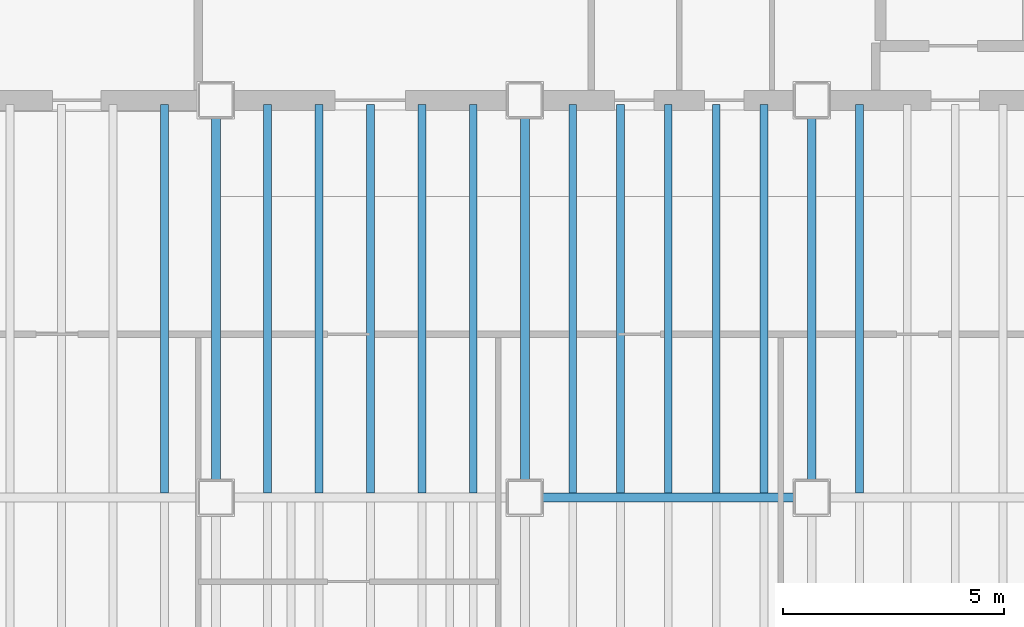
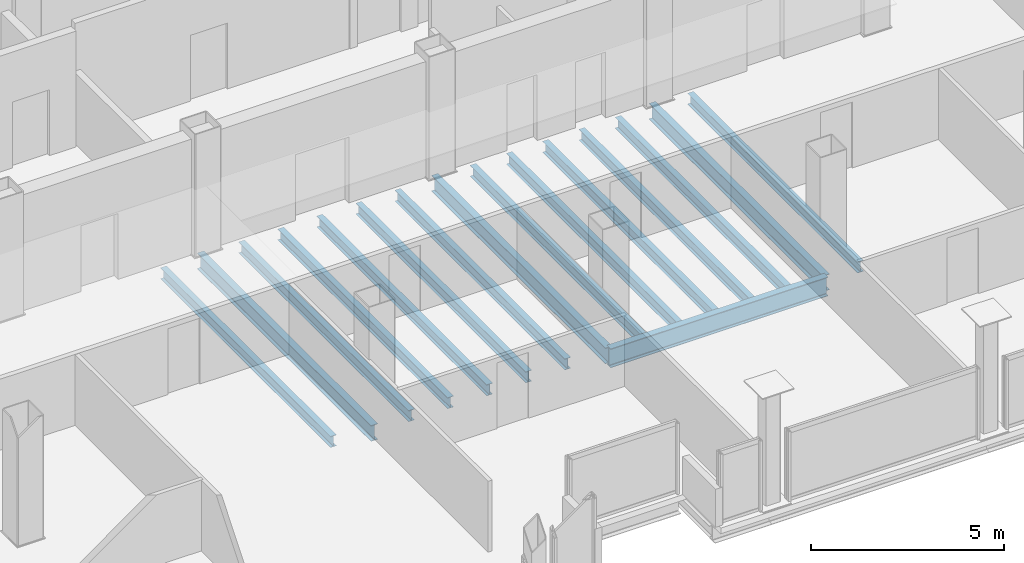
# One storey, part 5 of 17: 16 beams.
"""IFC4 building model written with IfcOpenShell, lengths in metres."""

from ifc_helpers import new_model, si_unit, direction, frame, origin, origin_2d, place, context, subcontext, project, spatial, i_section, extrude, material, material_profile, profile_set, type_object, element, save


model = new_model("IFC4")

# Units and contexts
model_context = context("Model", 3, precision=1e-05, world=origin(), true_north=direction((0.0, 1.0)))
body_context = subcontext(model_context, "Body", "Model", "MODEL_VIEW")
ifc_project = project(units=[si_unit("LENGTHUNIT", "METRE"), si_unit("AREAUNIT", "SQUARE_METRE"), si_unit("VOLUMEUNIT", "CUBIC_METRE"), si_unit("PLANEANGLEUNIT", "RADIAN"), si_unit("MASSUNIT", "GRAM", prefix="KILO")], contexts=[model_context])

# Site, building, storey
site_placement = place(None, origin())
site = spatial("IfcSite", under=ifc_project, at=site_placement, CompositionType="ELEMENT")
building_placement = place(site_placement, origin())
building = spatial("IfcBuilding", under=site, at=building_placement, Name="Noeulbin Bourse Tower", CompositionType="ELEMENT")
storey_placement = place(building_placement, frame((0.0, 0.0, 226.699951171875)))
storey = spatial("IfcBuildingStorey", under=building, at=storey_placement, Name="L56", CompositionType="ELEMENT", Elevation=226.699951171875)

# Beams
ifc_material = material(Name="Steel S355", Category="steel")
ifc_material_profile_1 = material_profile(ifc_material, i_section(OverallWidth=0.199951171875, OverallDepth=0.5, WebThickness=0.010009765625, FlangeThickness=0.01611328125, FilletRadius=0.02001953125, at=origin_2d()), Name="H-500x200x10x16", Category="LoadBearing")
ifc_profile_set_1 = profile_set([ifc_material_profile_1], Name="Steel S355")
beam_type_1 = type_object("IfcBeamType", Name="BM-GRD-500", PredefinedType="USERDEFINED", material=ifc_profile_set_1)
for number, where, z_axis, x_axis, name in (
    (1, (24.0, 20.0, -0.429931640625), (0.0, 1.0, 0.0), (-1.0, 0.0, 0.0), "Tower Primary Girder NS L56-2.2"),
    (2, (31.0, 20.0, -0.429931640625), (0.0, 1.0, 0.0), (-1.0, 0.0, 0.0), "Tower Primary Girder NS L56-3.2"),
    (3, (37.5, 20.0, -0.429931640625), (0.0, 1.0, 0.0), (-1.0, 0.0, 0.0), "Tower Primary Girder NS L56-4.2"),
):
    element("IfcBeam", number, at=place(storey_placement, frame(where, z_axis=z_axis, x_axis=x_axis)), inside=storey, type_object=beam_type_1, Name=name, ObjectType="GIRDER", PredefinedType="USERDEFINED", context=body_context, shape_type="SweptSolid", body=[
        extrude(i_section(OverallWidth=0.199951171875, OverallDepth=0.5, WebThickness=0.010009765625, FlangeThickness=0.01611328125, FilletRadius=0.02001953125, at=origin_2d()), origin(), (0.0, 0.0, 1.0), 9.0),
    ])
ifc_material_profile_2 = material_profile(ifc_material, i_section(OverallWidth=0.199951171875, OverallDepth=0.60009765625, WebThickness=0.010986328125, FlangeThickness=0.01708984375, FilletRadius=0.02197265625, at=origin_2d()), Name="H-600x200x11x17", Category="LoadBearing")
ifc_profile_set_2 = profile_set([ifc_material_profile_2], Name="Steel S355")
beam_type_2 = type_object("IfcBeamType", Name="BM-GRD-600", PredefinedType="USERDEFINED", material=ifc_profile_set_2)
beam_placement = place(storey_placement, frame((31.0, 20.0, -0.47998046875), z_axis=(1.0, 0.0, 0.0), x_axis=(0.0, 1.0, 0.0)))
element("IfcBeam", 4, at=beam_placement, inside=storey, type_object=beam_type_2, Name="Tower Primary Girder EW L56-1.4", ObjectType="GIRDER", PredefinedType="USERDEFINED", context=body_context, shape_type="SweptSolid", body=[
    extrude(i_section(OverallWidth=0.199951171875, OverallDepth=0.60009765625, WebThickness=0.010986328125, FlangeThickness=0.01708984375, FilletRadius=0.02197265625, at=origin_2d()), origin(), (0.0, 0.0, 1.0), 6.5),
])
ifc_material_profile_3 = material_profile(ifc_material, i_section(OverallWidth=0.175048828125, OverallDepth=0.35009765625, WebThickness=0.007080078125, FlangeThickness=0.010986328125, FilletRadius=0.013916015625, at=origin_2d()), Name="H-350x175x7x11", Category="LoadBearing")
ifc_profile_set_3 = profile_set([ifc_material_profile_3], Name="Steel S355")
beam_type_3 = type_object("IfcBeamType", Name="BM-JST-350", PredefinedType="JOIST", material=ifc_profile_set_3)
for number, where, z_axis, x_axis, name in (
    (5, (22.833251953125, 20.10009765625, -0.35498046875), (0.0, 1.0, 0.0), (-1.0, 0.0, 0.0), "Tower Composite Joist L56-16"),
    (6, (25.166748046875, 20.10009765625, -0.35498046875), (0.0, 1.0, 0.0), (-1.0, 0.0, 0.0), "Tower Composite Joist L56-18"),
    (7, (26.333251953125, 20.10009765625, -0.35498046875), (0.0, 1.0, 0.0), (-1.0, 0.0, 0.0), "Tower Composite Joist L56-20"),
    (8, (27.5, 20.10009765625, -0.35498046875), (0.0, 1.0, 0.0), (-1.0, 0.0, 0.0), "Tower Composite Joist L56-22"),
    (9, (28.666748046875, 20.10009765625, -0.35498046875), (0.0, 1.0, 0.0), (-1.0, 0.0, 0.0), "Tower Composite Joist L56-24"),
    (10, (29.833251953125, 20.10009765625, -0.35498046875), (0.0, 1.0, 0.0), (-1.0, 0.0, 0.0), "Tower Composite Joist L56-26"),
    (11, (32.083251953125, 20.10009765625, -0.35498046875), (0.0, 1.0, 0.0), (-1.0, 0.0, 0.0), "Tower Composite Joist L56-28"),
    (12, (33.166748046875, 20.10009765625, -0.35498046875), (0.0, 1.0, 0.0), (-1.0, 0.0, 0.0), "Tower Composite Joist L56-30"),
    (13, (34.25, 20.10009765625, -0.35498046875), (0.0, 1.0, 0.0), (-1.0, 0.0, 0.0), "Tower Composite Joist L56-32"),
    (14, (35.333251953125, 20.10009765625, -0.35498046875), (0.0, 1.0, 0.0), (-1.0, 0.0, 0.0), "Tower Composite Joist L56-34"),
    (15, (36.416748046875, 20.10009765625, -0.35498046875), (0.0, 1.0, 0.0), (-1.0, 0.0, 0.0), "Tower Composite Joist L56-36"),
    (16, (38.583251953125, 20.10009765625, -0.35498046875), (0.0, 1.0, 0.0), (-1.0, 0.0, 0.0), "Tower Composite Joist L56-38"),
):
    element("IfcBeam", number, at=place(storey_placement, frame(where, z_axis=z_axis, x_axis=x_axis)), inside=storey, type_object=beam_type_3, Name=name, PredefinedType="JOIST", context=body_context, shape_type="SweptSolid", body=[
        extrude(i_section(OverallWidth=0.175048828125, OverallDepth=0.35009765625, WebThickness=0.007080078125, FlangeThickness=0.010986328125, FilletRadius=0.013916015625, at=origin_2d()), origin(), (0.0, 0.0, 1.0), 8.7998046875),
    ])

save(model, "model.ifc")
